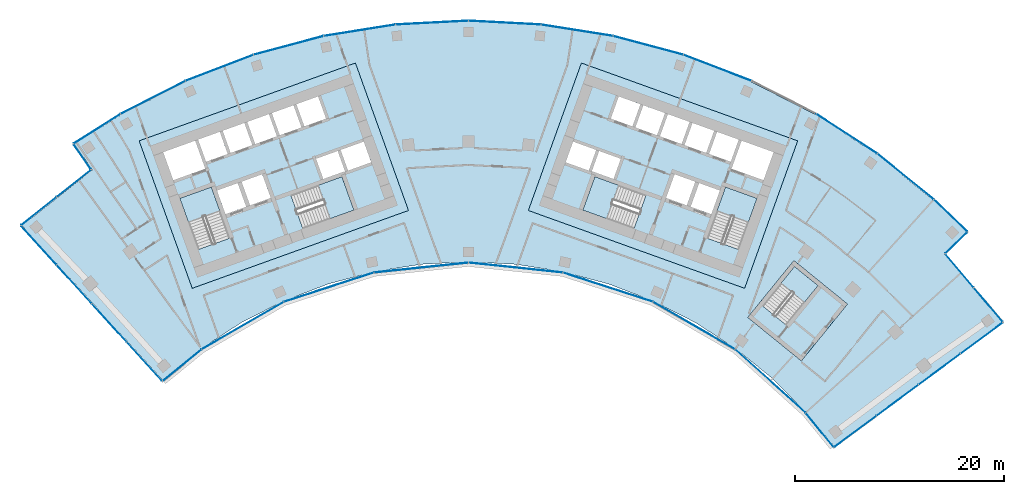
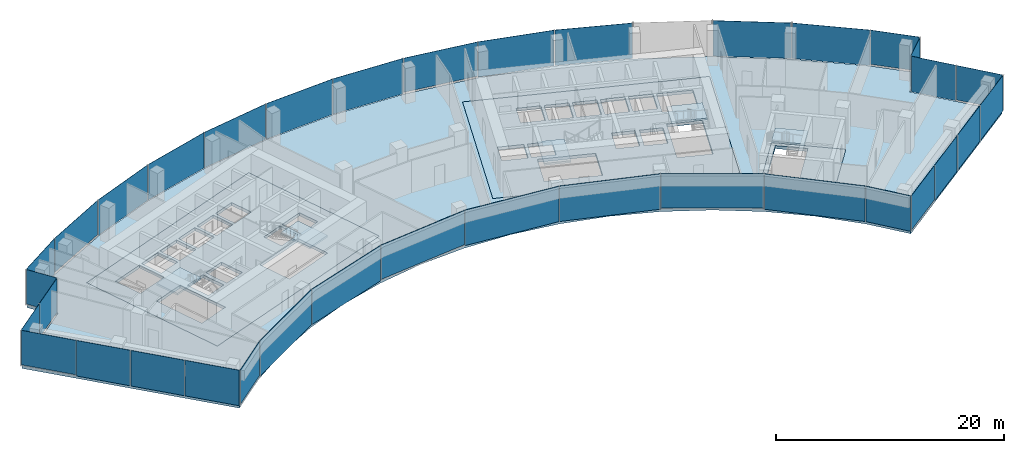
# One storey, part 10 of 17: 36 plates, 9 slabs, 13 elements without a shape of their own.
"""IFC4 building model written with IfcOpenShell, lengths in metres."""

from ifc_helpers import new_model, si_unit, direction, frame, origin, origin_2d, place, context, subcontext, project, spatial, polyline, rectangle, outline, extrude, material, layer, layer_set, type_object, element, aggregate, save


model = new_model("IFC4")

# Units and contexts
model_context = context("Model", 3, precision=1e-05, world=origin(), true_north=direction((0.0, 1.0)))
body_context = subcontext(model_context, "Body", "Model", "MODEL_VIEW")
ifc_project = project(units=[si_unit("LENGTHUNIT", "METRE"), si_unit("AREAUNIT", "SQUARE_METRE"), si_unit("VOLUMEUNIT", "CUBIC_METRE"), si_unit("PLANEANGLEUNIT", "RADIAN"), si_unit("MASSUNIT", "GRAM", prefix="KILO")], contexts=[model_context])

# Site, building, storey
site_placement = place(None, origin())
site = spatial("IfcSite", under=ifc_project, at=site_placement, CompositionType="ELEMENT")
building_placement = place(site_placement, origin())
building = spatial("IfcBuilding", under=site, at=building_placement, Name="Stone Belt Terrace Tower", CompositionType="ELEMENT")
storey_placement = place(building_placement, frame((0.0, 0.0, 231.39990234375)))
storey = spatial("IfcBuildingStorey", under=building, at=storey_placement, Name="L56", CompositionType="ELEMENT", Elevation=231.39990234375)

# Curtain wall, plates
ifc_material_1 = material(Name="Aluminium 6063-T6 anodised frame", Category="aluminium")
ifc_layer_1 = layer(ifc_material_1, 0.14990234375)
ifc_layer_set_1 = layer_set([ifc_layer_1], Name="CW-A unitised convex-face curtain wall")
curtain_wall_type_1 = type_object("IfcCurtainWallType", Name="CW-A unitised convex-face curtain wall", PredefinedType="NOTDEFINED", material=ifc_layer_set_1)
curtain_wall_1_placement = place(storey_placement, origin())
curtain_wall_1 = element("IfcCurtainWall", 1, at=curtain_wall_1_placement, inside=storey, type_object=curtain_wall_type_1, Name="CW-A convex face L56", PredefinedType="NOTDEFINED")
ifc_material_2 = material(Name="Clear double glazed unit")
ifc_layer_2 = layer(ifc_material_2, 0.031982421875)
ifc_layer_set_2 = layer_set([ifc_layer_2], Name="CW-A glass panel 32")
plate_type_1 = type_object("IfcPlateType", Name="CW-A glass panel 32", PredefinedType="CURTAIN_PANEL", material=ifc_layer_set_2)
plate_1_placement = place(storey_placement, frame((46.14599609375, 47.936767578125, 0.14013671875), z_axis=(0.0, 0.0, 1.0), x_axis=(-0.720604393579, 0.693346455933, 0.0)))
plate_1 = element("IfcPlate", 2, at=plate_1_placement, type_object=plate_type_1, Name="CW-A panel 1.1", PredefinedType="CURTAIN_PANEL", context=body_context, shape_type="SweptSolid", body=[
    extrude(rectangle(XDim=4.372314453125, YDim=0.031982421875, at=origin_2d()), origin(), (0.0, 0.0, 1.0), 3.659912109375),
])
plate_2_placement = place(storey_placement, frame((41.839599609375, 51.667724609375, 0.0), z_axis=(0.0, 0.0, 1.0), x_axis=(-0.777145961457, 0.62932039105, 0.0)))
plate_2 = element("IfcPlate", 3, at=plate_2_placement, type_object=plate_type_1, Name="CW-A panel 2.1", PredefinedType="CURTAIN_PANEL", context=body_context, shape_type="SweptSolid", body=[
    extrude(rectangle(XDim=6.90087890625, YDim=0.031982421875, at=origin_2d()), origin(), (0.0, 0.0, 1.0), 3.800048828125),
])
plate_3_placement = place(storey_placement, frame((36.209716796875, 55.758056640625, 0.0), z_axis=(0.0, 0.0, 1.0), x_axis=(-0.838670567945, 0.544639035015, 0.0)))
plate_3 = element("IfcPlate", 4, at=plate_3_placement, type_object=plate_type_1, Name="CW-A panel 3.1", PredefinedType="CURTAIN_PANEL", context=body_context, shape_type="SweptSolid", body=[
    extrude(rectangle(XDim=6.90087890625, YDim=0.031982421875, at=origin_2d()), origin(), (0.0, 0.0, 1.0), 3.800048828125),
])
plate_4_placement = place(storey_placement, frame((23.82568359375, 62.068115234375, 0.0), z_axis=(0.0, 0.0, 1.0), x_axis=(-0.933580426497, 0.358367949545, 0.0)))
plate_4 = element("IfcPlate", 5, at=plate_4_placement, type_object=plate_type_1, Name="CW-A panel 5.1", PredefinedType="CURTAIN_PANEL", context=body_context, shape_type="SweptSolid", body=[
    extrude(rectangle(XDim=6.90087890625, YDim=0.031982421875, at=origin_2d()), origin(), (0.0, 0.0, 1.0), 3.800048828125),
])
plate_5_placement = place(storey_placement, frame((17.207275390625, 64.218505859375, 0.0), z_axis=(0.0, 0.0, 1.0), x_axis=(-0.965925826289, 0.258819045103, 0.0)))
plate_5 = element("IfcPlate", 6, at=plate_5_placement, type_object=plate_type_1, Name="CW-A panel 6.1", PredefinedType="CURTAIN_PANEL", context=body_context, shape_type="SweptSolid", body=[
    extrude(rectangle(XDim=6.90087890625, YDim=0.031982421875, at=origin_2d()), origin(), (0.0, 0.0, 1.0), 3.800048828125),
])
plate_6_placement = place(storey_placement, frame((10.400390625, 65.665283203125, 0.14013671875), z_axis=(0.0, 0.0, 1.0), x_axis=(-0.987688340595, 0.15643446504, 0.0)))
plate_6 = element("IfcPlate", 7, at=plate_6_placement, type_object=plate_type_1, Name="CW-A panel 7.1", PredefinedType="CURTAIN_PANEL", context=body_context, shape_type="SweptSolid", body=[
    extrude(rectangle(XDim=6.90087890625, YDim=0.031982421875, at=origin_2d()), origin(), (0.0, 0.0, 1.0), 3.659912109375),
])
plate_7_placement = place(storey_placement, frame((3.4794921875, 66.392822265625, 0.0), z_axis=(0.0, 0.0, 1.0), x_axis=(-0.998629534755, 0.052335956243, 0.0)))
plate_7 = element("IfcPlate", 8, at=plate_7_placement, type_object=plate_type_1, Name="CW-A panel 8.1", PredefinedType="CURTAIN_PANEL", context=body_context, shape_type="SweptSolid", body=[
    extrude(rectangle(XDim=6.90087890625, YDim=0.031982421875, at=origin_2d()), origin(), (0.0, 0.0, 1.0), 3.800048828125),
])
plate_8_placement = place(storey_placement, frame((-3.4794921875, 66.392822265625, 0.0), z_axis=(0.0, 0.0, 1.0), x_axis=(-0.998629534755, -0.052335956243, 0.0)))
plate_8 = element("IfcPlate", 9, at=plate_8_placement, type_object=plate_type_1, Name="CW-A panel 9.1", PredefinedType="CURTAIN_PANEL", context=body_context, shape_type="SweptSolid", body=[
    extrude(rectangle(XDim=6.90087890625, YDim=0.031982421875, at=origin_2d()), origin(), (0.0, 0.0, 1.0), 3.800048828125),
])
plate_9_placement = place(storey_placement, frame((-10.400390625, 65.665283203125, 0.0), z_axis=(0.0, 0.0, 1.0), x_axis=(-0.987688340595, -0.15643446504, 0.0)))
plate_9 = element("IfcPlate", 10, at=plate_9_placement, type_object=plate_type_1, Name="CW-A panel 10.1", PredefinedType="CURTAIN_PANEL", context=body_context, shape_type="SweptSolid", body=[
    extrude(rectangle(XDim=6.90087890625, YDim=0.031982421875, at=origin_2d()), origin(), (0.0, 0.0, 1.0), 3.800048828125),
])
plate_10_placement = place(storey_placement, frame((-17.207275390625, 64.218505859375, 0.0), z_axis=(0.0, 0.0, 1.0), x_axis=(-0.965925826289, -0.258819045103, 0.0)))
plate_10 = element("IfcPlate", 11, at=plate_10_placement, type_object=plate_type_1, Name="CW-A panel 11.1", PredefinedType="CURTAIN_PANEL", context=body_context, shape_type="SweptSolid", body=[
    extrude(rectangle(XDim=6.90087890625, YDim=0.031982421875, at=origin_2d()), origin(), (0.0, 0.0, 1.0), 3.800048828125),
])
plate_11_placement = place(storey_placement, frame((-23.82568359375, 62.068115234375, 0.0), z_axis=(0.0, 0.0, 1.0), x_axis=(-0.933580426497, -0.358367949545, 0.0)))
plate_11 = element("IfcPlate", 12, at=plate_11_placement, type_object=plate_type_1, Name="CW-A panel 12.1", PredefinedType="CURTAIN_PANEL", context=body_context, shape_type="SweptSolid", body=[
    extrude(rectangle(XDim=6.90087890625, YDim=0.031982421875, at=origin_2d()), origin(), (0.0, 0.0, 1.0), 3.800048828125),
])
plate_12_placement = place(storey_placement, frame((-30.18310546875, 59.237548828125, 0.14013671875), z_axis=(0.0, 0.0, 1.0), x_axis=(-0.891006524188, -0.45399049974, 0.0)))
plate_12 = element("IfcPlate", 13, at=plate_12_placement, type_object=plate_type_1, Name="CW-A panel 13.1", PredefinedType="CURTAIN_PANEL", context=body_context, shape_type="SweptSolid", body=[
    extrude(rectangle(XDim=6.90087890625, YDim=0.031982421875, at=origin_2d()), origin(), (0.0, 0.0, 1.0), 3.659912109375),
])
plate_13_placement = place(storey_placement, frame((-35.53125, 56.23876953125, 0.0), z_axis=(0.0, 0.0, 1.0), x_axis=(-0.845539701985, -0.533912551236, 0.0)))
plate_13 = element("IfcPlate", 14, at=plate_13_placement, type_object=plate_type_1, Name="CW-A panel 14.1", PredefinedType="CURTAIN_PANEL", context=body_context, shape_type="SweptSolid", body=[
    extrude(rectangle(XDim=5.24169921875, YDim=0.031982421875, at=origin_2d()), origin(), (0.0, 0.0, 1.0), 3.800048828125),
])
aggregate(curtain_wall_1, [plate_1, plate_2, plate_3, plate_4, plate_5, plate_6, plate_7, plate_8, plate_9, plate_10, plate_11, plate_12, plate_13])

ifc_layer_3 = layer(ifc_material_1, 0.14990234375)
ifc_layer_set_3 = layer_set([ifc_layer_3], Name="CW-B unitised concave-face curtain wall")
curtain_wall_type_2 = type_object("IfcCurtainWallType", Name="CW-B unitised concave-face curtain wall", PredefinedType="NOTDEFINED", material=ifc_layer_set_3)
curtain_wall_2_placement = place(storey_placement, origin())
curtain_wall_2 = element("IfcCurtainWall", 15, at=curtain_wall_2_placement, inside=storey, type_object=curtain_wall_type_2, Name="CW-B concave face L56", PredefinedType="NOTDEFINED")
ifc_layer_4 = layer(ifc_material_2, 0.030029296875)
ifc_layer_set_4 = layer_set([ifc_layer_4], Name="CW-B glass panel 30")
plate_type_2 = type_object("IfcPlateType", Name="CW-B glass panel 30", PredefinedType="CURTAIN_PANEL", material=ifc_layer_set_4)
plate_14_placement = place(storey_placement, frame((-27.388427734375, 33.6142578125, 0.1201171875), z_axis=(0.0, 0.0, 1.0), x_axis=(0.77552492833, 0.631316945392, 0.0)))
plate_14 = element("IfcPlate", 16, at=plate_14_placement, type_object=plate_type_2, Name="CW-B panel 1.1", PredefinedType="CURTAIN_PANEL", context=body_context, shape_type="SweptSolid", body=[
    extrude(rectangle(XDim=4.740966796875, YDim=0.030029296875, at=origin_2d()), origin(), (0.0, 0.0, 1.0), 3.679931640625),
])
plate_15_placement = place(storey_placement, frame((-21.594970703125, 37.39990234375, 0.0), z_axis=(0.0, 0.0, 1.0), x_axis=(0.866025403784, 0.5, 0.0)))
plate_15 = element("IfcPlate", 17, at=plate_15_placement, type_object=plate_type_2, Name="CW-B panel 2.1", PredefinedType="CURTAIN_PANEL", context=body_context, shape_type="SweptSolid", body=[
    extrude(rectangle(XDim=9.0166015625, YDim=0.030029296875, at=origin_2d()), origin(), (0.0, 0.0, 1.0), 3.800048828125),
])
plate_16_placement = place(storey_placement, frame((-13.345458984375, 41.072998046875, 0.0), z_axis=(0.0, 0.0, 1.0), x_axis=(0.951056516295, 0.309016994375, 0.0)))
plate_16 = element("IfcPlate", 18, at=plate_16_placement, type_object=plate_type_2, Name="CW-B panel 3.1", PredefinedType="CURTAIN_PANEL", context=body_context, shape_type="SweptSolid", body=[
    extrude(rectangle(XDim=9.0126953125, YDim=0.030029296875, at=origin_2d()), origin(), (0.0, 0.0, 1.0), 3.800048828125),
])
plate_17_placement = place(storey_placement, frame((-4.51416015625, 42.9501953125, 0.1201171875), z_axis=(0.0, 0.0, 1.0), x_axis=(0.994521895368, 0.104528463268, 0.0)))
plate_17 = element("IfcPlate", 19, at=plate_17_placement, type_object=plate_type_2, Name="CW-B panel 4.1", PredefinedType="CURTAIN_PANEL", context=body_context, shape_type="SweptSolid", body=[
    extrude(rectangle(XDim=9.0126953125, YDim=0.030029296875, at=origin_2d()), origin(), (0.0, 0.0, 1.0), 3.679931640625),
])
plate_18_placement = place(storey_placement, frame((4.51416015625, 42.9501953125, 0.0), z_axis=(0.0, 0.0, 1.0), x_axis=(0.994521895368, -0.104528463268, 0.0)))
plate_18 = element("IfcPlate", 20, at=plate_18_placement, type_object=plate_type_2, Name="CW-B panel 5.1", PredefinedType="CURTAIN_PANEL", context=body_context, shape_type="SweptSolid", body=[
    extrude(rectangle(XDim=9.0126953125, YDim=0.030029296875, at=origin_2d()), origin(), (0.0, 0.0, 1.0), 3.800048828125),
])
plate_19_placement = place(storey_placement, frame((13.345458984375, 41.072998046875, 0.0), z_axis=(0.0, 0.0, 1.0), x_axis=(0.951056516295, -0.309016994375, 0.0)))
plate_19 = element("IfcPlate", 21, at=plate_19_placement, type_object=plate_type_2, Name="CW-B panel 6.1", PredefinedType="CURTAIN_PANEL", context=body_context, shape_type="SweptSolid", body=[
    extrude(rectangle(XDim=9.0126953125, YDim=0.030029296875, at=origin_2d()), origin(), (0.0, 0.0, 1.0), 3.800048828125),
])
plate_20_placement = place(storey_placement, frame((21.59326171875, 37.40087890625, 0.1201171875), z_axis=(0.0, 0.0, 1.0), x_axis=(0.866025403784, -0.5, 0.0)))
plate_20 = element("IfcPlate", 22, at=plate_20_placement, type_object=plate_type_2, Name="CW-B panel 7.1", PredefinedType="CURTAIN_PANEL", context=body_context, shape_type="SweptSolid", body=[
    extrude(rectangle(XDim=9.0126953125, YDim=0.030029296875, at=origin_2d()), origin(), (0.0, 0.0, 1.0), 3.679931640625),
])
plate_21_placement = place(storey_placement, frame((28.899169921875, 32.092529296875, 0.0), z_axis=(0.0, 0.0, 1.0), x_axis=(0.743144825477, -0.669130606359, 0.0)))
plate_21 = element("IfcPlate", 23, at=plate_21_placement, type_object=plate_type_2, Name="CW-B panel 8.1", PredefinedType="CURTAIN_PANEL", context=body_context, shape_type="SweptSolid", body=[
    extrude(rectangle(XDim=9.01708984375, YDim=0.030029296875, at=origin_2d()), origin(), (0.0, 0.0, 1.0), 3.800048828125),
])
plate_22_placement = place(storey_placement, frame((33.611572265625, 27.4150390625, 0.0), z_axis=(0.0, 0.0, 1.0), x_axis=(0.632397726807, -0.774643863417, 0.0)))
plate_22 = element("IfcPlate", 24, at=plate_22_placement, type_object=plate_type_2, Name="CW-B panel 9.1", PredefinedType="CURTAIN_PANEL", context=body_context, shape_type="SweptSolid", body=[
    extrude(rectangle(XDim=4.173828125, YDim=0.030029296875, at=origin_2d()), origin(), (0.0, 0.0, 1.0), 3.800048828125),
])
aggregate(curtain_wall_2, [plate_14, plate_15, plate_16, plate_17, plate_18, plate_19, plate_20, plate_21, plate_22])

ifc_layer_5 = layer(ifc_material_1, 0.14990234375)
ifc_layer_set_5 = layer_set([ifc_layer_5], Name="CW-C stick curtain wall, horn ends and notches")
curtain_wall_type_3 = type_object("IfcCurtainWallType", Name="CW-C stick curtain wall, horn ends and notches", PredefinedType="NOTDEFINED", material=ifc_layer_set_5)
curtain_wall_3_placement = place(storey_placement, origin())
curtain_wall_3 = element("IfcCurtainWall", 25, at=curtain_wall_3_placement, inside=storey, type_object=curtain_wall_type_3, Name="CW-C end face L56", PredefinedType="NOTDEFINED")
ifc_layer_6 = layer(ifc_material_2, 0.028076171875)
ifc_layer_set_6 = layer_set([ifc_layer_6], Name="CW-C glass panel 28")
plate_type_3 = type_object("IfcPlateType", Name="CW-C glass panel 28", PredefinedType="CURTAIN_PANEL", material=ifc_layer_set_6)
plate_23_placement = place(storey_placement, frame((37.032470703125, 27.263916015625, 0.1201171875), z_axis=(0.0, 0.0, 1.0), x_axis=(0.804329077539, 0.594184091865, 0.0)))
plate_23 = element("IfcPlate", 26, at=plate_23_placement, type_object=plate_type_3, Name="CW-C panel 1.1", PredefinedType="CURTAIN_PANEL", context=body_context, shape_type="SweptSolid", body=[
    extrude(rectangle(XDim=4.968017578125, YDim=0.028076171875, at=origin_2d()), origin(), (0.0, 0.0, 1.0), 3.679931640625),
])
plate_24_placement = place(storey_placement, frame((41.0654296875, 30.2431640625, 0.0), z_axis=(0.0, 0.0, 1.0), x_axis=(0.804329077539, 0.594184091865, 0.0)))
plate_24 = element("IfcPlate", 27, at=plate_24_placement, type_object=plate_type_3, Name="CW-C panel 2.1", PredefinedType="CURTAIN_PANEL", context=body_context, shape_type="SweptSolid", body=[
    extrude(rectangle(XDim=4.93994140625, YDim=0.028076171875, at=origin_2d()), origin(), (0.0, 0.0, 1.0), 3.800048828125),
])
plate_25_placement = place(storey_placement, frame((45.0869140625, 33.2138671875, 0.0), z_axis=(0.0, 0.0, 1.0), x_axis=(0.804329077539, 0.594184091865, 0.0)))
plate_25 = element("IfcPlate", 28, at=plate_25_placement, type_object=plate_type_3, Name="CW-C panel 3.1", PredefinedType="CURTAIN_PANEL", context=body_context, shape_type="SweptSolid", body=[
    extrude(rectangle(XDim=4.93994140625, YDim=0.028076171875, at=origin_2d()), origin(), (0.0, 0.0, 1.0), 3.800048828125),
])
plate_26_placement = place(storey_placement, frame((49.122802734375, 36.1953125, 0.0), z_axis=(0.0, 0.0, 1.0), x_axis=(0.804329077539, 0.594184091865, 0.0)))
plate_26 = element("IfcPlate", 29, at=plate_26_placement, type_object=plate_type_3, Name="CW-C panel 4.1", PredefinedType="CURTAIN_PANEL", context=body_context, shape_type="SweptSolid", body=[
    extrude(rectangle(XDim=4.974853515625, YDim=0.028076171875, at=origin_2d()), origin(), (0.0, 0.0, 1.0), 3.800048828125),
])
aggregate(curtain_wall_3, [plate_23, plate_24, plate_25, plate_26])

curtain_wall_4_placement = place(storey_placement, origin())
curtain_wall_4 = element("IfcCurtainWall", 30, at=curtain_wall_4_placement, inside=storey, type_object=curtain_wall_type_3, Name="CW-C notch face L56", PredefinedType="NOTDEFINED")
plate_27_placement = place(storey_placement, frame((49.75390625, 39.402587890625, 0.1201171875), z_axis=(0.0, 0.0, 1.0), x_axis=(-0.647210945735, 0.762310954743, 0.0)))
plate_27 = element("IfcPlate", 31, at=plate_27_placement, type_object=plate_type_3, Name="CW-C panel 1.1", PredefinedType="CURTAIN_PANEL", context=body_context, shape_type="SweptSolid", body=[
    extrude(rectangle(XDim=4.268798828125, YDim=0.028076171875, at=origin_2d()), origin(), (0.0, 0.0, 1.0), 3.679931640625),
])
plate_28_placement = place(storey_placement, frame((47.000244140625, 42.645751953125, 0.0), z_axis=(0.0, 0.0, 1.0), x_axis=(-0.647210945735, 0.762310954743, 0.0)))
plate_28 = element("IfcPlate", 32, at=plate_28_placement, type_object=plate_type_3, Name="CW-C panel 2.1", PredefinedType="CURTAIN_PANEL", context=body_context, shape_type="SweptSolid", body=[
    extrude(rectangle(XDim=4.12060546875, YDim=0.028076171875, at=origin_2d()), origin(), (0.0, 0.0, 1.0), 3.800048828125),
])
aggregate(curtain_wall_4, [plate_27, plate_28])

# Curtain wall, plate
curtain_wall_5_placement = place(storey_placement, origin())
curtain_wall_5 = element("IfcCurtainWall", 33, at=curtain_wall_5_placement, inside=storey, type_object=curtain_wall_type_3, Name="CW-C notch face L56", PredefinedType="NOTDEFINED")
plate_29_placement = place(storey_placement, frame((46.69677734375, 45.320068359375, 0.1201171875), z_axis=(0.0, 0.0, 1.0), x_axis=(0.71680345276, 0.697275275707, 0.0)))
plate_29 = element("IfcPlate", 34, at=plate_29_placement, type_object=plate_type_3, Name="CW-C panel 1.1", PredefinedType="CURTAIN_PANEL", context=body_context, shape_type="SweptSolid", body=[
    extrude(rectangle(XDim=2.859619140625, YDim=0.028076171875, at=origin_2d()), origin(), (0.0, 0.0, 1.0), 3.679931640625),
])
aggregate(curtain_wall_5, [plate_29])

curtain_wall_6_placement = place(storey_placement, origin())
curtain_wall_6 = element("IfcCurtainWall", 35, at=curtain_wall_6_placement, inside=storey, type_object=curtain_wall_type_3, Name="CW-C notch face L56", PredefinedType="NOTDEFINED")
plate_30_placement = place(storey_placement, frame((-36.95751953125, 53.56005859375, 0.1201171875), z_axis=(0.0, 0.0, 1.0), x_axis=(0.566987006549, -0.823726735274, 0.0)))
plate_30 = element("IfcPlate", 36, at=plate_30_placement, type_object=plate_type_3, Name="CW-C panel 1.1", PredefinedType="CURTAIN_PANEL", context=body_context, shape_type="SweptSolid", body=[
    extrude(rectangle(XDim=2.85986328125, YDim=0.028076171875, at=origin_2d()), origin(), (0.0, 0.0, 1.0), 3.679931640625),
])
aggregate(curtain_wall_6, [plate_30])

# Curtain wall, plates
curtain_wall_7_placement = place(storey_placement, origin())
curtain_wall_7 = element("IfcCurtainWall", 37, at=curtain_wall_7_placement, inside=storey, type_object=curtain_wall_type_3, Name="CW-C notch face L56", PredefinedType="NOTDEFINED")
plate_31_placement = place(storey_placement, frame((-37.776611328125, 50.99609375, 0.1201171875), z_axis=(0.0, 0.0, 1.0), x_axis=(-0.783503217382, -0.621387727874, 0.0)))
plate_31 = element("IfcPlate", 38, at=plate_31_placement, type_object=plate_type_3, Name="CW-C panel 1.1", PredefinedType="CURTAIN_PANEL", context=body_context, shape_type="SweptSolid", body=[
    extrude(rectangle(XDim=4.12060546875, YDim=0.028076171875, at=origin_2d()), origin(), (0.0, 0.0, 1.0), 3.679931640625),
])
plate_32_placement = place(storey_placement, frame((-41.110107421875, 48.3525390625, 0.0), z_axis=(0.0, 0.0, 1.0), x_axis=(-0.783503217382, -0.621387727874, 0.0)))
plate_32 = element("IfcPlate", 39, at=plate_32_placement, type_object=plate_type_3, Name="CW-C panel 2.1", PredefinedType="CURTAIN_PANEL", context=body_context, shape_type="SweptSolid", body=[
    extrude(rectangle(XDim=4.268798828125, YDim=0.028076171875, at=origin_2d()), origin(), (0.0, 0.0, 1.0), 3.800048828125),
])
aggregate(curtain_wall_7, [plate_31, plate_32])

curtain_wall_8_placement = place(storey_placement, origin())
curtain_wall_8 = element("IfcCurtainWall", 40, at=curtain_wall_8_placement, inside=storey, type_object=curtain_wall_type_3, Name="CW-C end face L56", PredefinedType="NOTDEFINED")
plate_33_placement = place(storey_placement, frame((-41.116943359375, 45.083740234375, 0.1201171875), z_axis=(0.0, 0.0, 1.0), x_axis=(0.672944127735, -0.739693315468, 0.0)))
plate_33 = element("IfcPlate", 41, at=plate_33_placement, type_object=plate_type_3, Name="CW-C panel 1.1", PredefinedType="CURTAIN_PANEL", context=body_context, shape_type="SweptSolid", body=[
    extrude(rectangle(XDim=4.974853515625, YDim=0.028076171875, at=origin_2d()), origin(), (0.0, 0.0, 1.0), 3.679931640625),
])
plate_34_placement = place(storey_placement, frame((-37.740234375, 41.372314453125, 0.0), z_axis=(0.0, 0.0, 1.0), x_axis=(0.672944127735, -0.739693315468, 0.0)))
plate_34 = element("IfcPlate", 42, at=plate_34_placement, type_object=plate_type_3, Name="CW-C panel 2.1", PredefinedType="CURTAIN_PANEL", context=body_context, shape_type="SweptSolid", body=[
    extrude(rectangle(XDim=4.93994140625, YDim=0.028076171875, at=origin_2d()), origin(), (0.0, 0.0, 1.0), 3.800048828125),
])
plate_35_placement = place(storey_placement, frame((-34.375732421875, 37.673828125, 0.0), z_axis=(0.0, 0.0, 1.0), x_axis=(0.672944127735, -0.739693315468, 0.0)))
plate_35 = element("IfcPlate", 43, at=plate_35_placement, type_object=plate_type_3, Name="CW-C panel 3.1", PredefinedType="CURTAIN_PANEL", context=body_context, shape_type="SweptSolid", body=[
    extrude(rectangle(XDim=4.93994140625, YDim=0.028076171875, at=origin_2d()), origin(), (0.0, 0.0, 1.0), 3.800048828125),
])
plate_36_placement = place(storey_placement, frame((-31.001708984375, 33.965087890625, 0.0), z_axis=(0.0, 0.0, 1.0), x_axis=(0.672944127735, -0.739693315468, 0.0)))
plate_36 = element("IfcPlate", 44, at=plate_36_placement, type_object=plate_type_3, Name="CW-C panel 4.1", PredefinedType="CURTAIN_PANEL", context=body_context, shape_type="SweptSolid", body=[
    extrude(rectangle(XDim=4.967529296875, YDim=0.028076171875, at=origin_2d()), origin(), (0.0, 0.0, 1.0), 3.800048828125),
])
aggregate(curtain_wall_8, [plate_33, plate_34, plate_35, plate_36])

# Slabs
ifc_material_3 = material(Name="Concrete B40", Category="concrete")
ifc_layer_7 = layer(ifc_material_3, 0.320068359375)
ifc_layer_set_7 = layer_set([ifc_layer_7], Name="Core floor slab 320")
slab_type_1 = type_object("IfcSlabType", Name="Core floor slab 320", PredefinedType="FLOOR", material=ifc_layer_set_7)
slab_1_placement = place(storey_placement, frame((0.0, 0.0, -0.31982421875)))
element("IfcSlab", 45, at=slab_1_placement, inside=storey, type_object=slab_type_1, Name="Core A floor L56", PredefinedType="FLOOR", context=body_context, shape_type="SweptSolid", body=[
    extrude(outline(polyline([(-26.43505859375, 40.968994140625), (-5.735107421875, 48.4189453125), (-10.81396484375, 62.531982421875), (-31.513916015625, 55.0830078125), (-26.43505859375, 40.968994140625)]), holes=[polyline([(-24.60791015625, 50.659912109375), (-22.847900390625, 45.76806640625), (-25.85888671875, 44.68408203125), (-27.618896484375, 49.575927734375), (-24.60791015625, 50.659912109375)]), polyline([(-21.27392578125, 48.778076171875), (-23.25, 48.06689453125), (-24.06298828125, 50.324951171875), (-22.0869140625, 51.035888671875), (-21.27392578125, 48.778076171875)]), polyline([(-18.922119140625, 49.6240234375), (-20.89794921875, 48.9130859375), (-21.7109375, 51.1708984375), (-19.735107421875, 51.883056640625), (-18.922119140625, 49.6240234375)]), polyline([(-28.24609375, 51.31689453125), (-29.2109375, 53.9990234375), (-26.153076171875, 55.09912109375), (-25.18798828125, 52.41796875), (-28.24609375, 51.31689453125)]), polyline([(-23.801025390625, 55.946044921875), (-23.0390625, 53.8291015625), (-25.10888671875, 53.083984375), (-25.87109375, 55.200927734375), (-23.801025390625, 55.946044921875)]), polyline([(-21.447998046875, 56.7919921875), (-20.68603515625, 54.675048828125), (-22.756103515625, 53.929931640625), (-23.51806640625, 56.047119140625), (-21.447998046875, 56.7919921875)]), polyline([(-10.955078125, 48.452880859375), (-15.846923828125, 46.69189453125), (-16.998046875, 49.89208984375), (-12.10595703125, 51.652099609375), (-10.955078125, 48.452880859375)]), polyline([(-11.847900390625, 52.116943359375), (-11.864990234375, 52.1640625), (-13.887939453125, 51.43603515625), (-14.58203125, 53.364990234375), (-12.511962890625, 54.110107421875), (-11.801025390625, 52.134033203125), (-11.847900390625, 52.116943359375)]), polyline([(-9.30810546875, 53.031005859375), (-11.51904296875, 52.235107421875), (-12.22998046875, 54.2109375), (-10.01904296875, 55.007080078125), (-9.30810546875, 53.031005859375)]), polyline([(-21.166015625, 56.89404296875), (-19.095947265625, 57.638916015625), (-18.333984375, 55.52197265625), (-20.404052734375, 54.777099609375), (-21.166015625, 56.89404296875)]), polyline([(-16.743896484375, 58.485107421875), (-15.98193359375, 56.367919921875), (-18.052001953125, 55.623046875), (-18.81396484375, 57.739990234375), (-16.743896484375, 58.485107421875)]), polyline([(-14.39111328125, 59.33203125), (-13.6298828125, 57.215087890625), (-15.699951171875, 56.469970703125), (-16.4609375, 58.5869140625), (-14.39111328125, 59.33203125)])]), origin(), (0.0, 0.0, 1.0), 0.31982421875),
])
slab_2_placement = place(storey_placement, frame((0.0, 0.0, -0.31982421875)))
element("IfcSlab", 46, at=slab_2_placement, inside=storey, type_object=slab_type_1, Name="Core B floor L56", PredefinedType="FLOOR", context=body_context, shape_type="SweptSolid", body=[
    extrude(outline(polyline([(26.43505859375, 40.968994140625), (31.513916015625, 55.0830078125), (10.81396484375, 62.531982421875), (5.735107421875, 48.4189453125), (26.43505859375, 40.968994140625)]), holes=[polyline([(12.10595703125, 51.652099609375), (16.998046875, 49.89208984375), (15.846923828125, 46.69189453125), (10.955078125, 48.452880859375), (12.10595703125, 51.652099609375)]), polyline([(12.511962890625, 54.110107421875), (14.58203125, 53.364990234375), (13.887939453125, 51.43603515625), (11.864990234375, 52.1640625), (11.847900390625, 52.116943359375), (11.801025390625, 52.134033203125), (12.511962890625, 54.110107421875)]), polyline([(9.30810546875, 53.031005859375), (10.01904296875, 55.007080078125), (12.22998046875, 54.2109375), (11.51904296875, 52.235107421875), (9.30810546875, 53.031005859375)]), polyline([(18.333984375, 55.52197265625), (19.095947265625, 57.638916015625), (21.166015625, 56.89404296875), (20.404052734375, 54.777099609375), (18.333984375, 55.52197265625)]), polyline([(16.743896484375, 58.485107421875), (18.81396484375, 57.739990234375), (18.052001953125, 55.623046875), (15.98193359375, 56.367919921875), (16.743896484375, 58.485107421875)]), polyline([(14.39111328125, 59.33203125), (16.4609375, 58.5869140625), (15.699951171875, 56.469970703125), (13.6298828125, 57.215087890625), (14.39111328125, 59.33203125)]), polyline([(27.618896484375, 49.575927734375), (25.85888671875, 44.68408203125), (22.847900390625, 45.76806640625), (24.60791015625, 50.659912109375), (27.618896484375, 49.575927734375)]), polyline([(21.27392578125, 48.778076171875), (22.0869140625, 51.035888671875), (24.06298828125, 50.324951171875), (23.25, 48.06689453125), (21.27392578125, 48.778076171875)]), polyline([(18.922119140625, 49.6240234375), (19.735107421875, 51.883056640625), (21.7109375, 51.1708984375), (20.89794921875, 48.9130859375), (18.922119140625, 49.6240234375)]), polyline([(26.153076171875, 55.09912109375), (29.2109375, 53.9990234375), (28.24609375, 51.31689453125), (25.18798828125, 52.41796875), (26.153076171875, 55.09912109375)]), polyline([(23.801025390625, 55.946044921875), (25.87109375, 55.200927734375), (25.10888671875, 53.083984375), (23.0390625, 53.8291015625), (23.801025390625, 55.946044921875)]), polyline([(21.447998046875, 56.7919921875), (23.51806640625, 56.047119140625), (22.756103515625, 53.929931640625), (20.68603515625, 54.675048828125), (21.447998046875, 56.7919921875)])]), origin(), (0.0, 0.0, 1.0), 0.31982421875),
])
slab_3_placement = place(storey_placement, frame((0.0, 0.0, -0.31982421875)))
element("IfcSlab", 47, at=slab_3_placement, inside=storey, type_object=slab_type_1, Name="Exit stair ST3B floor L56", PredefinedType="FLOOR", context=body_context, shape_type="SweptSolid", body=[
    extrude(outline(polyline([(26.741943359375, 38.18408203125), (31.866943359375, 34.02392578125), (36.278076171875, 39.458984375), (31.154052734375, 43.618896484375), (26.741943359375, 38.18408203125)]), holes=[polyline([(30.407958984375, 37.462890625), (28.156005859375, 39.291015625), (31.2119140625, 43.055908203125), (33.464111328125, 41.22802734375), (30.407958984375, 37.462890625)])]), origin(), (0.0, 0.0, 1.0), 0.31982421875),
])
ifc_layer_8 = layer(ifc_material_3, 0.320068359375)
ifc_layer_set_8 = layer_set([ifc_layer_8], Name="Floor slab 320 B40")
slab_type_2 = type_object("IfcSlabType", Name="Floor slab 320 B40", PredefinedType="FLOOR", material=ifc_layer_set_8)
slab_4_placement = place(storey_placement, frame((0.0, 0.0, -0.31982421875)))
element("IfcSlab", 48, at=slab_4_placement, inside=storey, type_object=slab_type_2, Name="Floor slab L56", PredefinedType="FLOOR", context=body_context, shape_type="SweptSolid", body=[
    extrude(outline(polyline([(-37.70458984375, 54.77783203125), (-33.25, 57.5908203125), (-27.048095703125, 60.750732421875), (-20.549560546875, 63.245361328125), (-13.826171875, 65.046875), (-6.951171875, 66.1357421875), (0.0, 66.5), (6.951171875, 66.1357421875), (13.826171875, 65.046875), (20.549560546875, 63.245361328125), (27.048095703125, 60.750732421875), (33.25, 57.5908203125), (39.087646484375, 53.799560546875), (44.497314453125, 49.419189453125), (47.66748046875, 46.368896484375), (45.51708984375, 44.277099609375), (51.074951171875, 37.730712890625), (34.98828125, 25.846923828125), (32.326904296875, 29.107177734375), (29.107177734375, 32.326904296875), (25.568603515625, 35.192138671875), (21.75, 37.672119140625), (17.693115234375, 39.7392578125), (13.442138671875, 41.37109375), (9.044189453125, 42.54931640625), (4.547119140625, 43.26171875), (0.0, 43.5), (-4.547119140625, 43.26171875), (-9.044189453125, 42.54931640625), (-13.442138671875, 41.37109375), (-17.693115234375, 39.7392578125), (-21.75, 37.672119140625), (-25.568603515625, 35.192138671875), (-29.107177734375, 32.326904296875), (-29.273193359375, 32.1767578125), (-42.73193359375, 46.970458984375), (-36.003662109375, 52.306640625), (-37.70458984375, 54.77783203125)]), holes=[polyline([(-31.51416015625, 55.082763671875), (-26.434814453125, 40.968994140625), (-5.734619140625, 48.418701171875), (-10.81396484375, 62.532470703125), (-31.51416015625, 55.082763671875)]), polyline([(31.51416015625, 55.082763671875), (10.81396484375, 62.532470703125), (5.734619140625, 48.418701171875), (26.434814453125, 40.968994140625), (31.51416015625, 55.082763671875)]), polyline([(36.2783203125, 39.459228515625), (31.15380859375, 43.61865234375), (26.742431640625, 38.18359375), (31.86669921875, 34.024169921875), (36.2783203125, 39.459228515625)])]), origin(), (0.0, 0.0, 1.0), 0.31982421875),
])

# Stair, slab
stair_type = type_object("IfcStairType", Name="Exit stair 1500", PredefinedType="HALF_TURN_STAIR", material=ifc_material_3)
stair_1_placement = place(storey_placement, origin())
stair_1 = element("IfcStair", 49, at=stair_1_placement, inside=storey, type_object=stair_type, Name="L56 Exit stair 1 core A", PredefinedType="HALF_TURN_STAIR")
ifc_layer_9 = layer(ifc_material_3, 0.199951171875)
ifc_layer_set_9 = layer_set([ifc_layer_9], Name="Stair landing 200")
slab_type_3 = type_object("IfcSlabType", Name="Stair landing 200", PredefinedType="LANDING", material=ifc_layer_set_9)
slab_5_placement = place(storey_placement, frame((0.0, 0.0, 1.7001953125)))
slab_5 = element("IfcSlab", 50, at=slab_5_placement, type_object=slab_type_3, Name="ST1A landing 1", PredefinedType="LANDING", context=body_context, shape_type="SweptSolid", body=[
    extrude(outline(polyline([(-23.79541015625, 48.40087890625), (-24.6083984375, 50.659912109375), (-27.619384765625, 49.576171875), (-26.806396484375, 47.3173828125), (-23.79541015625, 48.40087890625)])), origin(), (0.0, 0.0, 1.0), 0.199951171875),
])
aggregate(stair_1, [slab_5])

stair_2_placement = place(storey_placement, origin())
stair_2 = element("IfcStair", 51, at=stair_2_placement, inside=storey, type_object=stair_type, Name="L56 Exit stair 2 core A", PredefinedType="HALF_TURN_STAIR")
slab_6_placement = place(storey_placement, frame((0.0, 0.0, 1.7001953125)))
slab_6 = element("IfcSlab", 52, at=slab_6_placement, type_object=slab_type_3, Name="ST2A landing 1", PredefinedType="LANDING", context=body_context, shape_type="SweptSolid", body=[
    extrude(outline(polyline([(-13.213623046875, 47.64013671875), (-10.95458984375, 48.453125), (-12.10595703125, 51.652099609375), (-14.36474609375, 50.839111328125), (-13.213623046875, 47.64013671875)])), origin(), (0.0, 0.0, 1.0), 0.199951171875),
])
aggregate(stair_2, [slab_6])

stair_3_placement = place(storey_placement, origin())
stair_3 = element("IfcStair", 53, at=stair_3_placement, inside=storey, type_object=stair_type, Name="L56 Exit stair 1 core B", PredefinedType="HALF_TURN_STAIR")
slab_7_placement = place(storey_placement, frame((0.0, 0.0, 1.7001953125)))
slab_7 = element("IfcSlab", 54, at=slab_7_placement, type_object=slab_type_3, Name="ST1B landing 1", PredefinedType="LANDING", context=body_context, shape_type="SweptSolid", body=[
    extrude(outline(polyline([(26.806396484375, 47.3173828125), (27.619384765625, 49.576171875), (24.6083984375, 50.659912109375), (23.79541015625, 48.40087890625), (26.806396484375, 47.3173828125)])), origin(), (0.0, 0.0, 1.0), 0.199951171875),
])
aggregate(stair_3, [slab_7])

stair_4_placement = place(storey_placement, origin())
stair_4 = element("IfcStair", 55, at=stair_4_placement, inside=storey, type_object=stair_type, Name="L56 Exit stair 2 core B", PredefinedType="HALF_TURN_STAIR")
slab_8_placement = place(storey_placement, frame((0.0, 0.0, 1.7001953125)))
slab_8 = element("IfcSlab", 56, at=slab_8_placement, type_object=slab_type_3, Name="ST2B landing 1", PredefinedType="LANDING", context=body_context, shape_type="SweptSolid", body=[
    extrude(outline(polyline([(14.36474609375, 50.839111328125), (12.10595703125, 51.652099609375), (10.95458984375, 48.453125), (13.213623046875, 47.64013671875), (14.36474609375, 50.839111328125)])), origin(), (0.0, 0.0, 1.0), 0.199951171875),
])
aggregate(stair_4, [slab_8])

stair_5_placement = place(storey_placement, origin())
stair_5 = element("IfcStair", 57, at=stair_5_placement, inside=storey, type_object=stair_type, Name="L56 Exit stair 3B", PredefinedType="HALF_TURN_STAIR")
slab_9_placement = place(storey_placement, frame((0.0, 0.0, 1.7001953125)))
slab_9 = element("IfcSlab", 58, at=slab_9_placement, type_object=slab_type_3, Name="ST3B landing 1", PredefinedType="LANDING", context=body_context, shape_type="SweptSolid", body=[
    extrude(outline(polyline([(32.17138671875, 39.635986328125), (33.4638671875, 41.228271484375), (31.21240234375, 43.055908203125), (29.919921875, 41.463623046875), (32.17138671875, 39.635986328125)])), origin(), (0.0, 0.0, 1.0), 0.199951171875),
])
aggregate(stair_5, [slab_9])

save(model, "model.ifc")
